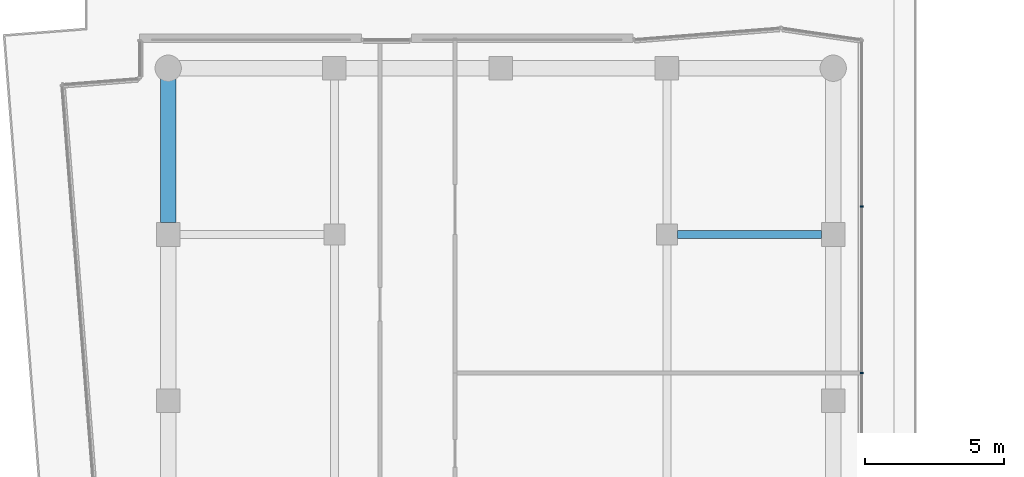
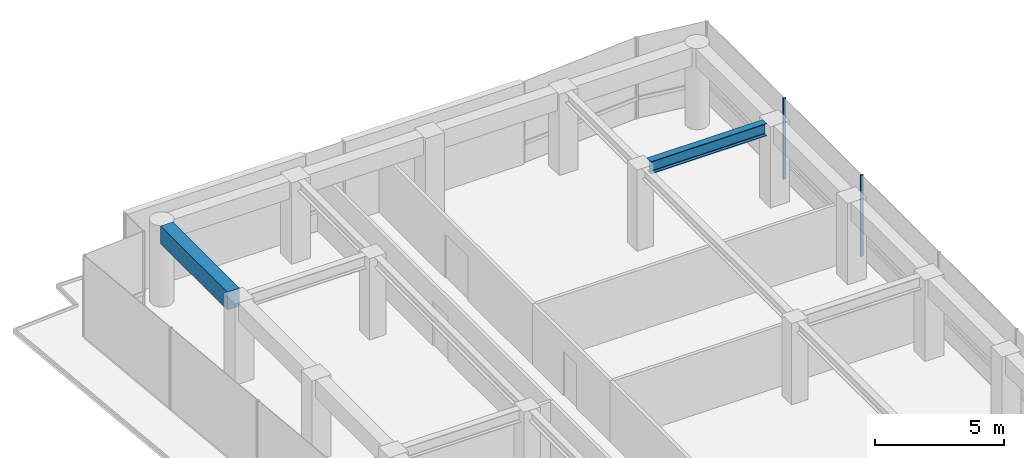
# One storey, part 16 of 23: 2 beams, 2 members, 1 element without a shape of its own.
"""IFC4 building model written with IfcOpenShell, lengths in metres."""

from ifc_helpers import new_model, si_unit, direction, frame, origin, origin_2d, place, context, subcontext, project, spatial, rectangle, i_section, extrude, material, layer, layer_set, material_profile, profile_set, type_object, element, aggregate, save


model = new_model("IFC4")

# Units and contexts
model_context = context("Model", 3, precision=1e-05, world=origin(), true_north=direction((0.0, 1.0)))
body_context = subcontext(model_context, "Body", "Model", "MODEL_VIEW")
ifc_project = project(units=[si_unit("LENGTHUNIT", "METRE"), si_unit("AREAUNIT", "SQUARE_METRE"), si_unit("VOLUMEUNIT", "CUBIC_METRE"), si_unit("PLANEANGLEUNIT", "RADIAN"), si_unit("MASSUNIT", "GRAM", prefix="KILO")], contexts=[model_context])

# Site, building, storey
site_placement = place(None, origin())
site = spatial("IfcSite", under=ifc_project, at=site_placement, CompositionType="ELEMENT")
building_placement = place(site_placement, origin())
building = spatial("IfcBuilding", under=site, at=building_placement, Name="Welwitschia Terrace Campus", CompositionType="ELEMENT")
storey_placement = place(building_placement, frame((0.0, 0.0, 188.60009765625)))
storey = spatial("IfcBuildingStorey", under=building, at=storey_placement, Name="L42", CompositionType="ELEMENT", Elevation=188.60009765625)

# Curtain wall, members
ifc_material_1 = material(Name="Bronze anodised aluminium", Category="aluminium")
ifc_layer = layer(ifc_material_1, 0.1201171875)
ifc_layer_set = layer_set([ifc_layer], Name="Bronze anodised aluminium")
curtain_wall_type = type_object("IfcCurtainWallType", Name="Curtain wall CW2 tower 6000", PredefinedType="NOTDEFINED", material=ifc_layer_set)
curtain_wall_placement = place(storey_placement, origin())
curtain_wall = element("IfcCurtainWall", 1, at=curtain_wall_placement, inside=storey, type_object=curtain_wall_type, Name="CW L42.9.0", PredefinedType="NOTDEFINED")
ifc_material_2 = material(Name="Bronze anodised aluminium", Category="aluminium")
ifc_material_profile_1 = material_profile(ifc_material_2, rectangle(XDim=0.1201171875, YDim=0.06005859375, at=origin_2d()))
ifc_profile_set_1 = profile_set([ifc_material_profile_1], Name="Bronze anodised aluminium")
member_type = type_object("IfcMemberType", Name="Mullion 60x120", PredefinedType="MULLION", material=ifc_profile_set_1)
member_1_placement = place(storey_placement, frame((25.030029296875, 50.9990234375, 0.0), z_axis=(0.0, 0.0, 1.0), x_axis=(-1.0, 0.0, 0.0)))
member_1 = element("IfcMember", 2, at=member_1_placement, type_object=member_type, Name="Mullion L42.9.0.4", PredefinedType="MULLION", context=body_context, shape_type="SweptSolid", body=[
    extrude(rectangle(XDim=0.1201171875, YDim=0.06005859375, at=origin_2d()), origin(), (0.0, 0.0, 1.0), 3.849853515625),
])
member_2_placement = place(storey_placement, frame((25.030029296875, 57.012451171875, 0.0), z_axis=(0.0, 0.0, 1.0), x_axis=(-1.0, 0.0, 0.0)))
member_2 = element("IfcMember", 3, at=member_2_placement, type_object=member_type, Name="Mullion L42.9.0.5", PredefinedType="MULLION", context=body_context, shape_type="SweptSolid", body=[
    extrude(rectangle(XDim=0.1201171875, YDim=0.06005859375, at=origin_2d()), origin(), (0.0, 0.0, 1.0), 3.849853515625),
])
aggregate(curtain_wall, [member_1, member_2])

# Beams
ifc_material_3 = material(Name="Steel S355", Category="steel")
ifc_material_profile_2 = material_profile(ifc_material_3, i_section(OverallWidth=0.300048828125, OverallDepth=0.590087890625, WebThickness=0.012939453125, FlangeThickness=0.02490234375, FilletRadius=0.027099609375, at=origin_2d()))
ifc_profile_set_2 = profile_set([ifc_material_profile_2], Name="Steel S355")
beam_type_1 = type_object("IfcBeamType", Name="Primary beam HE 600 A", PredefinedType="BEAM", material=ifc_profile_set_2)
beam_1_placement = place(storey_placement, frame((23.574462890625, 56.0, 3.554931640625), z_axis=(-1.0, 0.0, 0.0), x_axis=(0.0, -1.0, 0.0)))
element("IfcBeam", 4, at=beam_1_placement, inside=storey, type_object=beam_type_1, Name="Primary beam PB4", PredefinedType="BEAM", context=body_context, shape_type="SweptSolid", body=[
    extrude(i_section(OverallWidth=0.300048828125, OverallDepth=0.590087890625, WebThickness=0.012939453125, FlangeThickness=0.02490234375, FilletRadius=0.027099609375, at=origin_2d()), origin(), (0.0, 0.0, 1.0), 5.198974609375),
])
ifc_material_4 = material(Name="Concrete C50/60", Category="concrete")
ifc_material_profile_3 = material_profile(ifc_material_4, rectangle(XDim=0.550048828125, YDim=0.85009765625, at=origin_2d()))
ifc_profile_set_3 = profile_set([ifc_material_profile_3], Name="Concrete C50/60")
beam_type_2 = type_object("IfcBeamType", Name="Ring spandrel 550x850", PredefinedType="SPANDREL", material=ifc_profile_set_3)
beam_2_placement = place(storey_placement, frame((0.0, 61.612060546875, 3.4248046875), z_axis=(0.0, -1.0, 0.0), x_axis=(1.0, 0.0, 0.0)))
element("IfcBeam", 5, at=beam_2_placement, inside=storey, type_object=beam_type_2, Name="Spandrel SP3", PredefinedType="SPANDREL", context=body_context, shape_type="SweptSolid", body=[
    extrude(rectangle(XDim=0.550048828125, YDim=0.85009765625, at=origin_2d()), origin(), (0.0, 0.0, 1.0), 5.1865234375),
])

save(model, "model.ifc")
